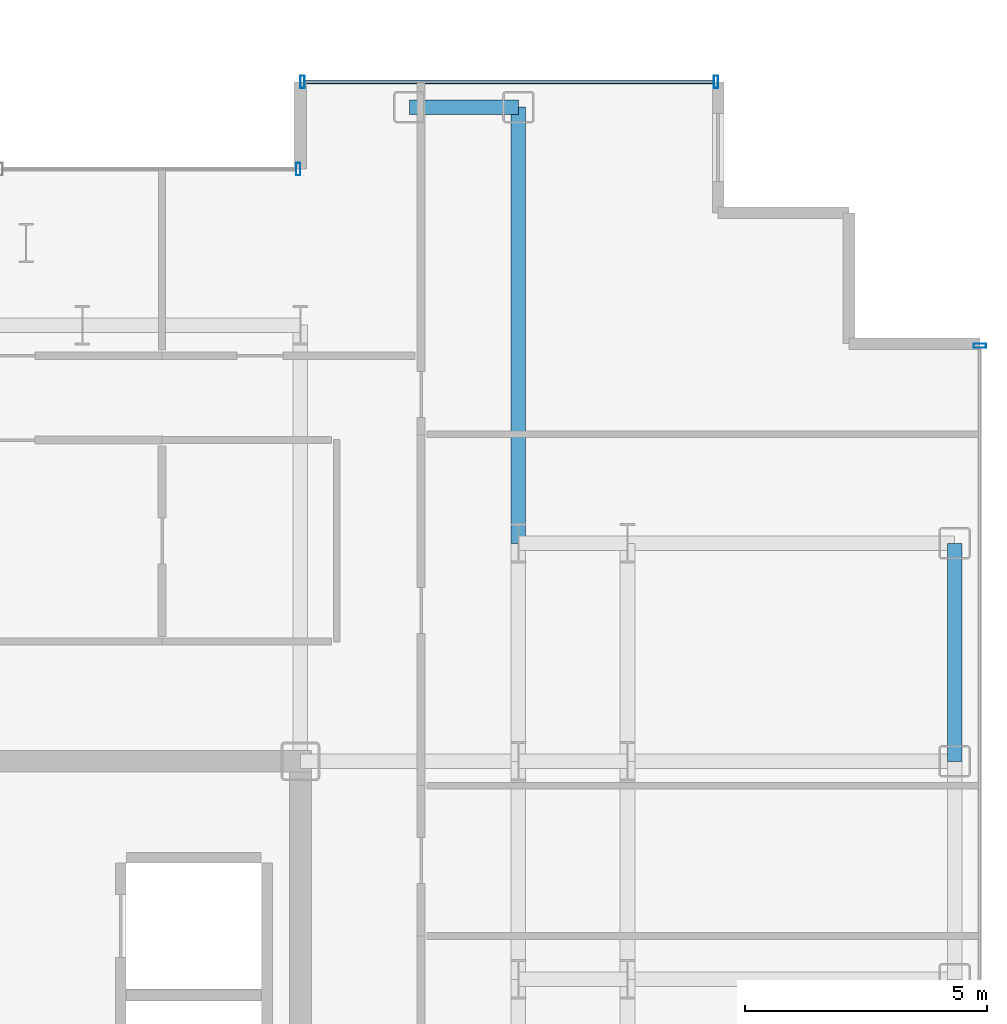
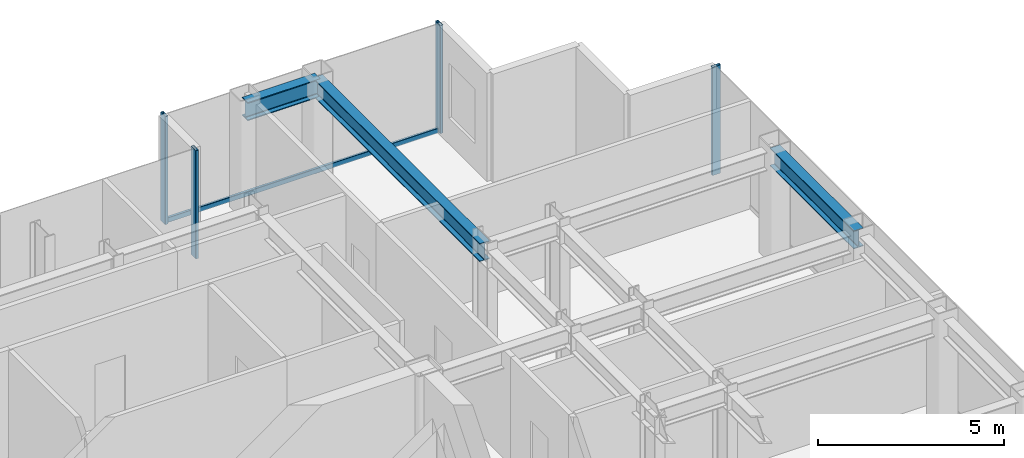
# One storey, part 12 of 20: 5 members, 3 beams, 3 elements without a shape of their own.
"""IFC4 building model written with IfcOpenShell, lengths in metres."""

import ifcopenshell
import ifcopenshell.guid

model = None  # the IFC model being written
_history = None  # IfcOwnerHistory: only IFC2X3 demands one
_inside = {}  # id of a spatial element -> (the spatial element, [elements in it])
_under = {}  # id of a project, library or spatial element -> (it, [spatial elements below it])
_declared = {}  # id of a project -> (the project, [libraries it declares])
_typed = {}  # id of a type object -> (the type object, [elements of that type])
_made_of = {}  # id of a material, layer set ... -> (it, [elements and type objects made of it])


def new_model(schema):
    """Start an empty IFC model of exactly this schema.

    Asked for "IFC4X3", IfcOpenShell would pick the latest addendum, in which some entities
    have other attributes; the version numbers below select the first issue.
    IFC2X3 requires an IfcOwnerHistory on every rooted entity: one is made here for all.
    """
    global model, _history
    if schema == "IFC4X3":
        model = ifcopenshell.file(schema_version=(4, 3, 0, 0))
    else:
        model = ifcopenshell.file(schema=schema)
    _inside.clear()
    _under.clear()
    _declared.clear()
    _typed.clear()
    _made_of.clear()
    _history = None
    if model.schema == "IFC2X3":
        org = make("IfcOrganization", Name="unknown")
        user = make(
            "IfcPersonAndOrganization",
            ThePerson=make("IfcPerson", FamilyName="unknown"),
            TheOrganization=org,
        )
        app = make(
            "IfcApplication",
            ApplicationDeveloper=org,
            Version="unknown",
            ApplicationFullName="unknown",
            ApplicationIdentifier="unknown",
        )
        _history = make(
            "IfcOwnerHistory",
            OwningUser=user,
            OwningApplication=app,
            ChangeAction="ADDED",
            CreationDate=0,
        )
    return model


def make(cls, **values):
    """One entity of the class cls with the attributes given. An attribute that is None is left unset."""
    return model.create_entity(
        cls, **{name: value for name, value in values.items() if value is not None}
    )


def rooted(cls, **values):
    """An entity with a GlobalId (a new one), such as an element, a storey or a relation."""
    return make(cls, GlobalId=ifcopenshell.guid.new(), OwnerHistory=_history, **values)


def si_unit(unit_type, name, prefix=None):
    """IfcSIUnit, for example si_unit("LENGTHUNIT", "METRE", prefix="MILLI")."""
    return make("IfcSIUnit", UnitType=unit_type, Prefix=prefix, Name=name)


def assignment(units):
    """IfcUnitAssignment: the units of a project."""
    return None if units is None else make("IfcUnitAssignment", Units=units)


def point(xyz):
    """IfcCartesianPoint."""
    return None if xyz is None else make("IfcCartesianPoint", Coordinates=xyz)


def direction(xyz):
    """IfcDirection."""
    return None if xyz is None else make("IfcDirection", DirectionRatios=xyz)


def frame(location, z_axis=None, x_axis=None):
    """IfcAxis2Placement3D, a coordinate frame: its origin and axes. An axis left out is left unset."""
    return make(
        "IfcAxis2Placement3D",
        Location=point(location),
        Axis=direction(z_axis),
        RefDirection=direction(x_axis),
    )


def frame_2d(location, x_axis=None):
    """IfcAxis2Placement2D, a coordinate frame in the plane: its origin and x axis."""
    return make(
        "IfcAxis2Placement2D", Location=point(location), RefDirection=direction(x_axis)
    )


def origin():
    """The frame at (0, 0, 0) with its axes left unset."""
    return frame((0.0, 0.0, 0.0))


def origin_2d():
    """The frame at (0, 0) in the plane with its x axis left unset."""
    return frame_2d((0.0, 0.0))


def place(relative_to, where):
    """IfcLocalPlacement: puts the frame where relative to a parent placement (None: the world)."""
    return make(
        "IfcLocalPlacement", PlacementRelTo=relative_to, RelativePlacement=where
    )


def context(
    kind, dimensions, precision=None, world=None, true_north=None, identifier=None
):
    """IfcGeometricRepresentationContext, for example the 3D "Model" context."""
    return make(
        "IfcGeometricRepresentationContext",
        ContextIdentifier=identifier,
        ContextType=kind,
        CoordinateSpaceDimension=dimensions,
        Precision=precision,
        WorldCoordinateSystem=world,
        TrueNorth=true_north,
    )


def subcontext(parent, identifier, kind, view, scale=None):
    """IfcGeometricRepresentationSubContext, for example "Body" below "Model"."""
    return make(
        "IfcGeometricRepresentationSubContext",
        ContextIdentifier=identifier,
        ContextType=kind,
        ParentContext=parent,
        TargetScale=scale,
        TargetView=view,
    )


def project(units=None, contexts=None):
    """IfcProject with its units and contexts."""
    return rooted(
        "IfcProject",
        Name="project",
        RepresentationContexts=contexts,
        UnitsInContext=assignment(units),
    )


def spatial(cls, under=None, at=None, **own):
    """A site, building, storey or space (cls), placed at a placement, below another one or the project."""
    s = rooted(cls, ObjectPlacement=at, **own)
    if under is not None:
        _under.setdefault(under.id(), (under, []))[1].append(s)
    return s


def profile(cls, at=None, kind="AREA", **sizes):
    """A parametric profile (cls). Its sizes go by their IFC names, for example OverallWidth=200.0."""
    return make(cls, ProfileType=kind, Position=at, **sizes)


def hollow_rectangle(**sizes):
    """IfcRectangleHollowProfileDef."""
    return profile("IfcRectangleHollowProfileDef", **sizes)


def i_section(**sizes):
    """IfcIShapeProfileDef."""
    return profile("IfcIShapeProfileDef", **sizes)


def extrude(swept, where, along, depth):
    """IfcExtrudedAreaSolid: the profile swept, set in the frame where, extruded along a direction by depth."""
    return make(
        "IfcExtrudedAreaSolid",
        SweptArea=swept,
        Position=where,
        ExtrudedDirection=direction(along),
        Depth=depth,
    )


def shape(context_of_items, identifier, shape_type, items):
    """IfcShapeRepresentation: the items that make up one representation, for example the "Body"."""
    return make(
        "IfcShapeRepresentation",
        ContextOfItems=context_of_items,
        RepresentationIdentifier=identifier,
        RepresentationType=shape_type,
        Items=items,
    )


def source(mapping_origin, context_of_items, identifier, shape_type, items):
    """IfcRepresentationMap: a shape defined once, which mapped items show again and again."""
    return make(
        "IfcRepresentationMap",
        MappingOrigin=mapping_origin,
        MappedRepresentation=shape(context_of_items, identifier, shape_type, items),
    )


def transform(
    local_origin,
    x_axis=None,
    y_axis=None,
    z_axis=None,
    scale=None,
    scale2=None,
    scale3=None,
    uniform=True,
):
    """IfcCartesianTransformationOperator3D, or its non-uniform kind. x_axis, y_axis, z_axis: its Axis1, 2, 3."""
    if uniform:
        return make(
            "IfcCartesianTransformationOperator3D",
            Axis1=direction(x_axis),
            Axis2=direction(y_axis),
            LocalOrigin=point(local_origin),
            Scale=scale,
            Axis3=direction(z_axis),
        )
    return make(
        "IfcCartesianTransformationOperator3DnonUniform",
        Axis1=direction(x_axis),
        Axis2=direction(y_axis),
        LocalOrigin=point(local_origin),
        Scale=scale,
        Axis3=direction(z_axis),
        Scale2=scale2,
        Scale3=scale3,
    )


def mapped(mapping_source, mapping_target):
    """IfcMappedItem: shows the shape of a source again, moved by a transform."""
    return make(
        "IfcMappedItem", MappingSource=mapping_source, MappingTarget=mapping_target
    )


def material(Name=None, Category=None):
    """IfcMaterial."""
    return make("IfcMaterial", Name=Name, Category=Category)


def layer(
    of_material, thickness, ventilated=None, Name=None, Category=None, Priority=None
):
    """IfcMaterialLayer: one layer of a wall or slab, of a material (None: an air gap)."""
    return make(
        "IfcMaterialLayer",
        Material=of_material,
        LayerThickness=thickness,
        IsVentilated=ventilated,
        Name=Name,
        Category=Category,
        Priority=Priority,
    )


def layer_set(layers, Name=None):
    """IfcMaterialLayerSet."""
    return make("IfcMaterialLayerSet", MaterialLayers=layers, LayerSetName=Name)


def material_profile(
    of_material, cross_section, Name=None, Category=None, Priority=None
):
    """IfcMaterialProfile: a cross section and its material."""
    return make(
        "IfcMaterialProfile",
        Name=Name,
        Material=of_material,
        Profile=cross_section,
        Priority=Priority,
        Category=Category,
    )


def profile_set(profiles, Name=None, composite=None):
    """IfcMaterialProfileSet."""
    return make(
        "IfcMaterialProfileSet",
        Name=Name,
        MaterialProfiles=profiles,
        CompositeProfile=composite,
    )


def made_of(thing, what):
    """Note that an element or type object is made of a material, layer set ...; save() writes the relation."""
    if what is not None:
        _made_of.setdefault(what.id(), (what, []))[1].append(thing)
    return thing


def type_object(cls, material=None, **own):
    """A type object (cls), such as IfcWallType, which elements share."""
    return made_of(rooted(cls, **own), material)


def element(
    cls,
    number,
    at=None,
    inside=None,
    cuts=None,
    type_object=None,
    material=None,
    context=None,
    identifier="Body",
    shape_type=None,
    held_by="IfcProductDefinitionShape",
    body=None,
    shapes=None,
    **own,
):
    """One element of the class cls, such as IfcWall. Its Tag is "e" and its number.

    at: its placement. inside: the storey or other place that contains it. cuts: it is an
    opening in that element (IfcRelVoidsElement). A single representation is given by context,
    identifier, shape_type and body (its items); several are given by shapes. held_by: the class
    of the entity that holds the representations. save() writes the other relations.
    """
    e = rooted(cls, Tag="e%d" % number, ObjectPlacement=at, **own)
    if body is not None:
        shapes = [shape(context, identifier, shape_type, body)]
    if shapes is not None:
        e.Representation = make(held_by, Representations=shapes)
    if inside is not None:
        _inside.setdefault(inside.id(), (inside, []))[1].append(e)
    if cuts is not None:
        rooted(
            "IfcRelVoidsElement", RelatingBuildingElement=cuts, RelatedOpeningElement=e
        )
    if type_object is not None:
        _typed.setdefault(type_object.id(), (type_object, []))[1].append(e)
    return made_of(e, material)


def aggregate(whole, parts):
    """IfcRelAggregates: a whole, such as a stair, and the parts it consists of."""
    return rooted("IfcRelAggregates", RelatingObject=whole, RelatedObjects=parts)


def save(model, path):
    """Write the relations noted so far, then the file.

    IfcRelAggregates (storeys below a building ...), IfcRelContainedInSpatialStructure (elements
    in a storey), IfcRelDefinesByType, IfcRelAssociatesMaterial and IfcRelDeclares: one each for
    every whole, place, type object, material and project.
    """
    for whole, parts in _under.values():
        aggregate(whole, parts)
    for where, things in _inside.values():
        rooted(
            "IfcRelContainedInSpatialStructure",
            RelatedElements=things,
            RelatingStructure=where,
        )
    for kind, things in _typed.values():
        rooted("IfcRelDefinesByType", RelatedObjects=things, RelatingType=kind)
    for what, things in _made_of.values():
        rooted("IfcRelAssociatesMaterial", RelatedObjects=things, RelatingMaterial=what)
    for by, libraries in _declared.values():
        rooted("IfcRelDeclares", RelatingContext=by, RelatedDefinitions=libraries)
    model.write(path)


model = new_model("IFC4")

# Units and contexts
model_context = context("Model", 3, precision=1e-05, world=origin(), true_north=direction((0.0, 1.0)))
body_context = subcontext(model_context, "Body", "Model", "MODEL_VIEW")
ifc_project = project(units=[si_unit("LENGTHUNIT", "METRE"), si_unit("AREAUNIT", "SQUARE_METRE"), si_unit("VOLUMEUNIT", "CUBIC_METRE"), si_unit("PLANEANGLEUNIT", "RADIAN"), si_unit("MASSUNIT", "GRAM", prefix="KILO")], contexts=[model_context])

# Site, building, storey
site_placement = place(None, origin())
site = spatial("IfcSite", under=ifc_project, at=site_placement, CompositionType="ELEMENT")
building_placement = place(site_placement, origin())
building = spatial("IfcBuilding", under=site, at=building_placement, Name="Nefas-Gora Pilgrimage Tower", CompositionType="ELEMENT")
storey_placement = place(building_placement, frame((0.0, 0.0, 244.60009765625)))
storey = spatial("IfcBuildingStorey", under=building, at=storey_placement, Name="L61", CompositionType="ELEMENT", Elevation=244.60009765625)

# Beams
ifc_material_1 = material(Name="Steel S355", Category="steel")
ifc_material_profile_1 = material_profile(ifc_material_1, i_section(OverallWidth=0.300048828125, OverallDepth=0.60009765625, WebThickness=0.015380859375, FlangeThickness=0.030029296875, FilletRadius=0.027099609375, at=origin_2d()), Name="HEB 600")
ifc_profile_set_1 = profile_set([ifc_material_profile_1], Name="Steel S355")
beam_type_1 = type_object("IfcBeamType", Name="BM-SPN-HEB450", PredefinedType="SPANDREL", material=ifc_profile_set_1)
shared_shape_1 = source(origin(), body_context, "Body", "SweptSolid", [
    extrude(i_section(OverallWidth=0.300048828125, OverallDepth=0.60009765625, WebThickness=0.015380859375, FlangeThickness=0.030029296875, FilletRadius=0.027099609375, at=origin_2d()), origin(), (0.0, 0.0, 1.0), 4.5),
])
beam_1_placement = place(storey_placement, frame((24.75, 9.0, 3.25), z_axis=(0.0, 1.0, 0.0), x_axis=(-1.0, 0.0, 0.0)))
element("IfcBeam", 1, at=beam_1_placement, inside=storey, type_object=beam_type_1, Name="L61 SP-03 beam", PredefinedType="SPANDREL", context=body_context, shape_type="MappedRepresentation", body=[
    mapped(shared_shape_1, transform((0.0, 0.0, 0.0), x_axis=(1.0, 0.0, 0.0), y_axis=(0.0, 1.0, 0.0), z_axis=(0.0, 0.0, 1.0), scale=1.0)),
])
ifc_material_profile_2 = material_profile(ifc_material_1, i_section(OverallWidth=0.300048828125, OverallDepth=0.60009765625, WebThickness=0.015380859375, FlangeThickness=0.030029296875, FilletRadius=0.027099609375, at=origin_2d()), Name="HEB 600")
ifc_profile_set_2 = profile_set([ifc_material_profile_2], Name="Steel S355")
beam_type_2 = type_object("IfcBeamType", Name="BM-GIR-HEB600", PredefinedType="BEAM", material=ifc_profile_set_2)
shared_shape_2 = source(origin(), body_context, "Body", "SweptSolid", [
    extrude(i_section(OverallWidth=0.300048828125, OverallDepth=0.60009765625, WebThickness=0.015380859375, FlangeThickness=0.030029296875, FilletRadius=0.027099609375, at=origin_2d()), origin(), (0.0, 0.0, 1.0), 9.0),
])
beam_2_placement = place(storey_placement, frame((15.75, 13.5, 3.25), z_axis=(0.0, 1.0, 0.0), x_axis=(-1.0, 0.0, 0.0)))
element("IfcBeam", 2, at=beam_2_placement, inside=storey, type_object=beam_type_2, Name="L61 G-04 beam", PredefinedType="BEAM", context=body_context, shape_type="MappedRepresentation", body=[
    mapped(shared_shape_2, transform((0.0, 0.0, 0.0), x_axis=(1.0, 0.0, 0.0), y_axis=(0.0, 1.0, 0.0), z_axis=(0.0, 0.0, 1.0), scale=1.0)),
])
shared_shape_3 = source(origin(), body_context, "Body", "SweptSolid", [
    extrude(i_section(OverallWidth=0.300048828125, OverallDepth=0.60009765625, WebThickness=0.015380859375, FlangeThickness=0.030029296875, FilletRadius=0.027099609375, at=origin_2d()), origin(), (0.0, 0.0, 1.0), 2.25),
])
beam_3_placement = place(storey_placement, frame((13.5, 22.5, 3.25), z_axis=(1.0, 0.0, 0.0), x_axis=(0.0, 1.0, 0.0)))
element("IfcBeam", 3, at=beam_3_placement, inside=storey, type_object=beam_type_1, Name="L61 SP-03 beam", PredefinedType="SPANDREL", context=body_context, shape_type="MappedRepresentation", body=[
    mapped(shared_shape_3, transform((0.0, 0.0, 0.0), x_axis=(1.0, 0.0, 0.0), y_axis=(0.0, 1.0, 0.0), z_axis=(0.0, 0.0, 1.0), scale=1.0)),
])

# Curtain wall, member
ifc_material_2 = material(Name="Dark ceramic-fritted solar-control aluminium-glass curtain wall", Category="aluminium")
ifc_layer_1 = layer(ifc_material_2, 0.219970703125)
ifc_layer_set_1 = layer_set([ifc_layer_1], Name="Dark ceramic-fritted solar-control aluminium-glass curtain wall")
curtain_wall_type_1 = type_object("IfcCurtainWallType", Name="CW-SYS-5", PredefinedType="NOTDEFINED", material=ifc_layer_set_1)
curtain_wall_1_placement = place(storey_placement, origin())
curtain_wall_1 = element("IfcCurtainWall", 4, at=curtain_wall_1_placement, inside=storey, type_object=curtain_wall_type_1, Name="L61 Unitised Curtain Wall CW5", PredefinedType="NOTDEFINED")
ifc_material_3 = material(Name="Anodised architectural aluminium", Category="aluminium")
ifc_material_profile_3 = material_profile(ifc_material_3, hollow_rectangle(XDim=0.090087890625, YDim=0.260009765625, WallThickness=0.006103515625, InnerFilletRadius=0.006103515625, OuterFilletRadius=0.011962890625, at=origin_2d()), Name="ALU MULLION 90x260")
ifc_profile_set_3 = profile_set([ifc_material_profile_3], Name="Anodised architectural aluminium")
member_type_1 = type_object("IfcMemberType", Name="CWM-MUL-5", PredefinedType="MULLION", material=ifc_profile_set_3)
shared_shape_4 = source(origin(), body_context, "Body", "SweptSolid", [
    extrude(hollow_rectangle(XDim=0.090087890625, YDim=0.260009765625, WallThickness=0.006103515625, InnerFilletRadius=0.006103515625, OuterFilletRadius=0.011962890625, at=origin_2d()), origin(), (0.0, 0.0, 1.0), 3.5498046875),
])
member_1_placement = place(storey_placement, frame((11.205078125, 21.219970703125, 0.0), z_axis=(0.0, 0.0, 1.0), x_axis=(-1.0, 0.0, 0.0)))
member_1 = element("IfcMember", 5, at=member_1_placement, type_object=member_type_1, Name="CW5 Mullion 1", PredefinedType="MULLION", context=body_context, shape_type="MappedRepresentation", body=[
    mapped(shared_shape_4, transform((0.0, 0.0, 0.0), x_axis=(1.0, 0.0, 0.0), y_axis=(0.0, 1.0, 0.0), z_axis=(0.0, 0.0, 1.0), scale=1.0)),
])
aggregate(curtain_wall_1, [member_1])

ifc_layer_2 = layer(ifc_material_2, 0.219970703125)
ifc_layer_set_2 = layer_set([ifc_layer_2], Name="Dark ceramic-fritted solar-control aluminium-glass curtain wall")
curtain_wall_type_2 = type_object("IfcCurtainWallType", Name="CW-SYS-3", PredefinedType="NOTDEFINED", material=ifc_layer_set_2)
curtain_wall_2_placement = place(storey_placement, origin())
curtain_wall_2 = element("IfcCurtainWall", 6, at=curtain_wall_2_placement, inside=storey, type_object=curtain_wall_type_2, Name="L61 Unitised Curtain Wall CW3", PredefinedType="NOTDEFINED")
ifc_material_profile_4 = material_profile(ifc_material_3, hollow_rectangle(XDim=0.080078125, YDim=0.159912109375, WallThickness=0.00439453125, InnerFilletRadius=0.00439453125, OuterFilletRadius=0.009033203125, at=origin_2d()), Name="ALU TRANSOM 80x160")
ifc_profile_set_4 = profile_set([ifc_material_profile_4], Name="Anodised architectural aluminium")
member_type_2 = type_object("IfcMemberType", Name="CWM-TRN-3", PredefinedType="USERDEFINED", material=ifc_profile_set_4)
shared_shape_5 = source(origin(), body_context, "Body", "SweptSolid", [
    extrude(hollow_rectangle(XDim=0.080078125, YDim=0.159912109375, WallThickness=0.00439453125, InnerFilletRadius=0.00439453125, OuterFilletRadius=0.009033203125, at=origin_2d()), origin(), (0.0, 0.0, 1.0), 8.43994140625),
])
member_2_placement = place(storey_placement, frame((19.780029296875, 23.02001953125, 0.0498046875), z_axis=(-1.0, 0.0, 0.0), x_axis=(0.0, -1.0, 0.0)))
member_2 = element("IfcMember", 7, at=member_2_placement, type_object=member_type_2, Name="CW3 Spandrel Transom", ObjectType="TRANSOM", PredefinedType="USERDEFINED", context=body_context, shape_type="MappedRepresentation", body=[
    mapped(shared_shape_5, transform((0.0, 0.0, 0.0), x_axis=(1.0, 0.0, 0.0), y_axis=(0.0, 1.0, 0.0), z_axis=(0.0, 0.0, 1.0), scale=1.0)),
])

curtain_wall_3_placement = place(storey_placement, origin())
curtain_wall_3 = element("IfcCurtainWall", 8, at=curtain_wall_3_placement, inside=storey, type_object=curtain_wall_type_2, Name="L61 Unitised Curtain Wall CW3", PredefinedType="NOTDEFINED")
ifc_material_profile_5 = material_profile(ifc_material_3, hollow_rectangle(XDim=0.090087890625, YDim=0.260009765625, WallThickness=0.006103515625, InnerFilletRadius=0.006103515625, OuterFilletRadius=0.011962890625, at=origin_2d()), Name="ALU MULLION 90x260")
ifc_profile_set_5 = profile_set([ifc_material_profile_5], Name="Anodised architectural aluminium")
member_type_3 = type_object("IfcMemberType", Name="CWM-MUL-3", PredefinedType="MULLION", material=ifc_profile_set_5)
shared_shape_6 = source(origin(), body_context, "Body", "SweptSolid", [
    extrude(hollow_rectangle(XDim=0.090087890625, YDim=0.260009765625, WallThickness=0.006103515625, InnerFilletRadius=0.006103515625, OuterFilletRadius=0.011962890625, at=origin_2d()), origin(), (0.0, 0.0, 1.0), 3.5498046875),
])
member_3_placement = place(storey_placement, frame((25.27001953125, 17.574951171875, 0.0), z_axis=(0.0, 0.0, 1.0), x_axis=(0.0, 1.0, 0.0)))
member_3 = element("IfcMember", 9, at=member_3_placement, type_object=member_type_3, Name="CW3 Mullion 2", PredefinedType="MULLION", context=body_context, shape_type="MappedRepresentation", body=[
    mapped(shared_shape_6, transform((0.0, 0.0, 0.0), x_axis=(1.0, 0.0, 0.0), y_axis=(0.0, 1.0, 0.0), z_axis=(0.0, 0.0, 1.0), scale=1.0)),
])
aggregate(curtain_wall_3, [member_3])

# Member
member_4_placement = place(storey_placement, frame((19.824951171875, 23.02001953125, 0.0), z_axis=(0.0, 0.0, 1.0), x_axis=(-1.0, 0.0, 0.0)))
member_4 = element("IfcMember", 10, at=member_4_placement, type_object=member_type_3, Name="CW3 Mullion 1", PredefinedType="MULLION", context=body_context, shape_type="MappedRepresentation", body=[
    mapped(shared_shape_6, transform((0.0, 0.0, 0.0), x_axis=(1.0, 0.0, 0.0), y_axis=(0.0, 1.0, 0.0), z_axis=(0.0, 0.0, 1.0), scale=1.0)),
])

member_5_placement = place(storey_placement, frame((11.294921875, 23.02001953125, 0.0), z_axis=(0.0, 0.0, 1.0), x_axis=(-1.0, 0.0, 0.0)))
member_5 = element("IfcMember", 11, at=member_5_placement, type_object=member_type_3, Name="CW3 Mullion 2", PredefinedType="MULLION", context=body_context, shape_type="MappedRepresentation", body=[
    mapped(shared_shape_6, transform((0.0, 0.0, 0.0), x_axis=(1.0, 0.0, 0.0), y_axis=(0.0, 1.0, 0.0), z_axis=(0.0, 0.0, 1.0), scale=1.0)),
])

aggregate(curtain_wall_2, [member_4, member_5, member_2])

save(model, "model.ifc")
